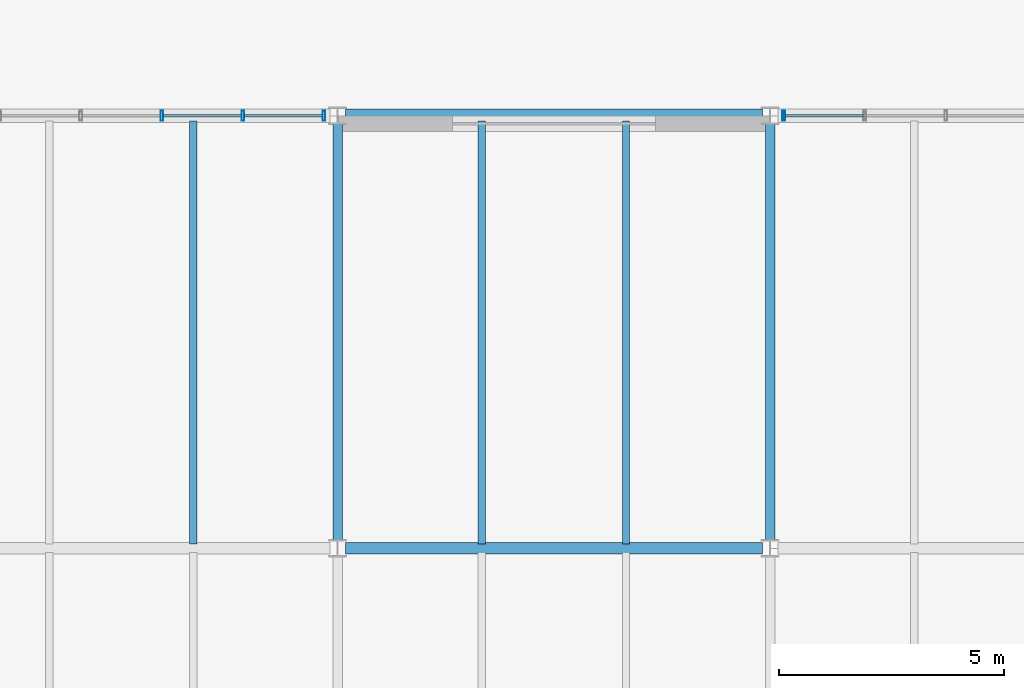
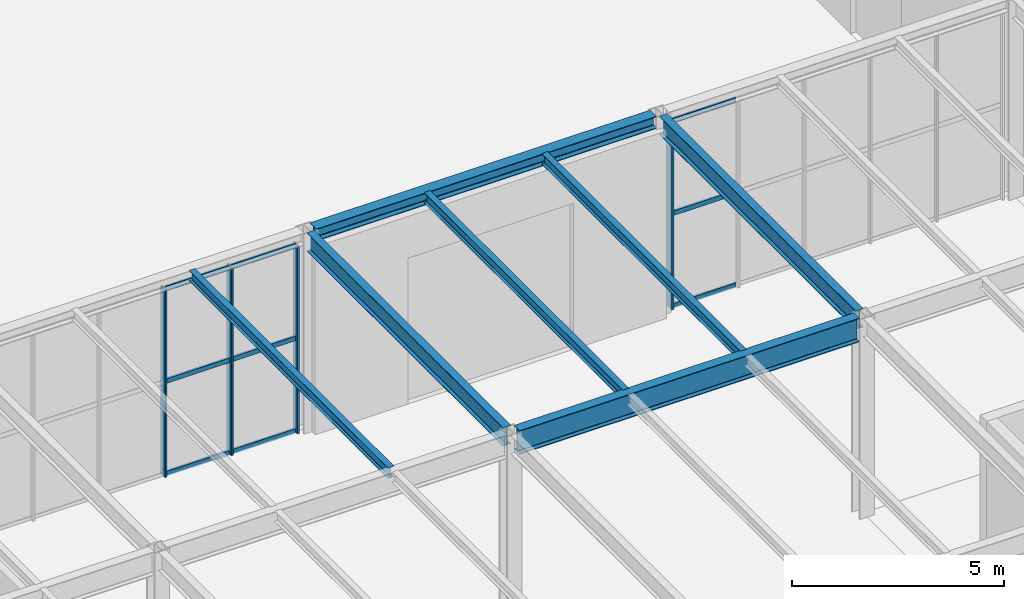
# One storey, part 54 of 142: 13 members, 7 beams, 2 elements without a shape of their own.
"""IFC4 building model written with IfcOpenShell, lengths in metres."""

from ifc_helpers import new_model, si_unit, direction, frame, origin, origin_2d, place, context, subcontext, project, spatial, hollow_rectangle, i_section, extrude, material, material_profile, profile_set, type_object, element, aggregate, save


model = new_model("IFC4")

# Units and contexts
model_context = context("Model", 3, precision=1e-05, world=origin(), true_north=direction((0.0, 1.0)))
body_context = subcontext(model_context, "Body", "Model", "MODEL_VIEW")
ifc_project = project(units=[si_unit("LENGTHUNIT", "METRE"), si_unit("AREAUNIT", "SQUARE_METRE"), si_unit("VOLUMEUNIT", "CUBIC_METRE"), si_unit("PLANEANGLEUNIT", "RADIAN"), si_unit("MASSUNIT", "GRAM", prefix="KILO")], contexts=[model_context])

# Site, building, storey
site_placement = place(None, origin())
site = spatial("IfcSite", under=ifc_project, at=site_placement, CompositionType="ELEMENT")
building_placement = place(site_placement, origin())
building = spatial("IfcBuilding", under=site, at=building_placement, Name="Coralgate Yard Interchange", CompositionType="ELEMENT")
storey_placement = place(building_placement, origin())
storey = spatial("IfcBuildingStorey", under=building, at=storey_placement, Name="L00", CompositionType="ELEMENT", Elevation=0.0)

# Beams
ifc_material_1 = material(Name="Structural steel S355J2", Category="steel")
ifc_material_profile_1 = material_profile(ifc_material_1, i_section(OverallWidth=0.209228515625, OverallDepth=0.533203125, WebThickness=0.010009765625, FlangeThickness=0.015625, FilletRadius=0.0126953125, at=origin_2d()), Name="UB 533x210x92")
ifc_profile_set_1 = profile_set([ifc_material_profile_1], Name="Structural steel S355J2")
beam_type_1 = type_object("IfcBeamType", Name="BM-SB-1", PredefinedType="BEAM", material=ifc_profile_set_1)
for number, where, z_axis, x_axis, name in (
    (1, (19.199951171875, 48.166748046875, 5.4833984375), (0.0, 1.0, 0.0), (-1.0, 0.0, 0.0), "L00 primary grid girder X2 Y5-6"),
    (2, (28.800048828125, 48.166748046875, 5.4833984375), (0.0, 1.0, 0.0), (-1.0, 0.0, 0.0), "L00 primary grid girder X3 Y5-6"),
):
    element("IfcBeam", number, at=place(storey_placement, frame(where, z_axis=z_axis, x_axis=x_axis)), inside=storey, type_object=beam_type_1, Name=name, PredefinedType="BEAM", context=body_context, shape_type="SweptSolid", body=[
        extrude(i_section(OverallWidth=0.209228515625, OverallDepth=0.533203125, WebThickness=0.010009765625, FlangeThickness=0.015625, FilletRadius=0.0126953125, at=origin_2d()), origin(), (0.0, 0.0, 1.0), 9.266357421875),
    ])
ifc_material_profile_2 = material_profile(ifc_material_1, i_section(OverallWidth=0.253662109375, OverallDepth=0.68359375, WebThickness=0.012451171875, FlangeThickness=0.01904296875, FilletRadius=0.01513671875, at=origin_2d()), Name="UB 686x254x140")
ifc_profile_set_2 = profile_set([ifc_material_profile_2], Name="Structural steel S355J2")
beam_type_2 = type_object("IfcBeamType", Name="BM-SG-4", PredefinedType="BEAM", material=ifc_profile_set_2)
beam_1_placement = place(storey_placement, frame((19.369384765625, 48.0, 5.408203125), z_axis=(1.0, 0.0, 0.0), x_axis=(0.0, 1.0, 0.0)))
element("IfcBeam", 3, at=beam_1_placement, inside=storey, type_object=beam_type_2, Name="L00 primary grid beam Y5 X2-3", PredefinedType="BEAM", context=body_context, shape_type="SweptSolid", body=[
    extrude(i_section(OverallWidth=0.253662109375, OverallDepth=0.68359375, WebThickness=0.012451171875, FlangeThickness=0.01904296875, FilletRadius=0.01513671875, at=origin_2d()), origin(), (0.0, 0.0, 1.0), 9.26123046875),
])
ifc_material_profile_3 = material_profile(ifc_material_1, i_section(OverallWidth=0.1650390625, OverallDepth=0.303466796875, WebThickness=0.006103515625, FlangeThickness=0.01025390625, FilletRadius=0.0087890625, at=origin_2d()), Name="UB 305x165x40")
ifc_profile_set_3 = profile_set([ifc_material_profile_3], Name="Structural steel S355J2")
beam_type_3 = type_object("IfcBeamType", Name="BM-SJ-1", PredefinedType="JOIST", material=ifc_profile_set_3)
for number, where, z_axis, x_axis, name in (
    (4, (16.0, 48.096923828125, 5.598388671875), (0.0, 1.0, 0.0), (-1.0, 0.0, 0.0), "L00 composite floor joist 1-5-2"),
    (5, (22.39990234375, 48.096923828125, 5.598388671875), (0.0, 1.0, 0.0), (-1.0, 0.0, 0.0), "L00 composite floor joist 2-5-1"),
    (6, (25.60009765625, 48.096923828125, 5.598388671875), (0.0, 1.0, 0.0), (-1.0, 0.0, 0.0), "L00 composite floor joist 2-5-2"),
):
    element("IfcBeam", number, at=place(storey_placement, frame(where, z_axis=z_axis, x_axis=x_axis)), inside=storey, type_object=beam_type_3, Name=name, PredefinedType="JOIST", context=body_context, shape_type="SweptSolid", body=[
        extrude(i_section(OverallWidth=0.1650390625, OverallDepth=0.303466796875, WebThickness=0.006103515625, FlangeThickness=0.01025390625, FilletRadius=0.0087890625, at=origin_2d()), origin(), (0.0, 0.0, 1.0), 9.383056640625),
    ])
ifc_material_profile_4 = material_profile(ifc_material_1, i_section(OverallWidth=0.300048828125, OverallDepth=0.35009765625, WebThickness=0.010009765625, FlangeThickness=0.017578125, FilletRadius=0.027099609375, at=origin_2d()), Name="HEA 360")
ifc_profile_set_4 = profile_set([ifc_material_profile_4], Name="Structural steel S355J2")
beam_type_4 = type_object("IfcBeamType", Name="BM-SP-1", PredefinedType="SPANDREL", material=ifc_profile_set_4)
beam_2_placement = place(storey_placement, frame((19.369384765625, 57.60009765625, 5.574951171875), z_axis=(1.0, 0.0, 0.0), x_axis=(0.0, 1.0, 0.0)))
element("IfcBeam", 7, at=beam_2_placement, inside=storey, type_object=beam_type_4, Name="L00 primary grid beam Y6 X2-3", PredefinedType="SPANDREL", context=body_context, shape_type="SweptSolid", body=[
    extrude(i_section(OverallWidth=0.300048828125, OverallDepth=0.35009765625, WebThickness=0.010009765625, FlangeThickness=0.017578125, FilletRadius=0.027099609375, at=origin_2d()), origin(), (0.0, 0.0, 1.0), 9.26123046875),
])

# Curtain wall, members
ifc_material_2 = material(Name="Anodised coastal aluminium and solar-control low-E glass", Category="aluminium")
curtain_wall_type = type_object("IfcCurtainWallType", Name="CW-CW-L00-B", PredefinedType="NOTDEFINED", material=ifc_material_2)
curtain_wall_1_placement = place(storey_placement, origin())
curtain_wall_1 = element("IfcCurtainWall", 8, at=curtain_wall_1_placement, inside=storey, type_object=curtain_wall_type, Name="L00 unitised curtain wall CW-L00-N-01-05", PredefinedType="NOTDEFINED")
ifc_material_3 = material(Name="Anodised coastal aluminium 6063-T6", Category="aluminium")
ifc_material_profile_5 = material_profile(ifc_material_3, hollow_rectangle(XDim=0.06005859375, YDim=0.219970703125, WallThickness=0.00390625, InnerFilletRadius=0.00390625, OuterFilletRadius=0.008056640625, at=origin_2d()), Name="ALU 60x220x4")
ifc_profile_set_5 = profile_set([ifc_material_profile_5], Name="Anodised coastal aluminium 6063-T6")
member_type_1 = type_object("IfcMemberType", Name="MB-MUL-220", PredefinedType="MULLION", material=ifc_profile_set_5)
member_1_placement = place(storey_placement, frame((15.300048828125, 57.60009765625, 0.0), z_axis=(0.0, 0.0, 1.0), x_axis=(1.0, 0.0, 0.0)))
member_1 = element("IfcMember", 9, at=member_1_placement, type_object=member_type_1, Name="CW-L00-N-01-05 vertical mullion 4", PredefinedType="MULLION", context=body_context, shape_type="SweptSolid", body=[
    extrude(hollow_rectangle(XDim=0.06005859375, YDim=0.219970703125, WallThickness=0.00390625, InnerFilletRadius=0.00390625, OuterFilletRadius=0.008056640625, at=origin_2d()), origin(), (0.0, 0.0, 1.0), 5.39990234375),
])
member_2_placement = place(storey_placement, frame((17.10009765625, 57.60009765625, 0.0), z_axis=(0.0, 0.0, 1.0), x_axis=(1.0, 0.0, 0.0)))
member_2 = element("IfcMember", 10, at=member_2_placement, type_object=member_type_1, Name="CW-L00-N-01-05 vertical mullion 5", PredefinedType="MULLION", context=body_context, shape_type="SweptSolid", body=[
    extrude(hollow_rectangle(XDim=0.06005859375, YDim=0.219970703125, WallThickness=0.00390625, InnerFilletRadius=0.00390625, OuterFilletRadius=0.008056640625, at=origin_2d()), origin(), (0.0, 0.0, 1.0), 5.39990234375),
])
member_3_placement = place(storey_placement, frame((18.89990234375, 57.60009765625, 0.0), z_axis=(0.0, 0.0, 1.0), x_axis=(1.0, 0.0, 0.0)))
member_3 = element("IfcMember", 11, at=member_3_placement, type_object=member_type_1, Name="CW-L00-N-01-05 vertical mullion 6", PredefinedType="MULLION", context=body_context, shape_type="SweptSolid", body=[
    extrude(hollow_rectangle(XDim=0.06005859375, YDim=0.219970703125, WallThickness=0.00390625, InnerFilletRadius=0.00390625, OuterFilletRadius=0.008056640625, at=origin_2d()), origin(), (0.0, 0.0, 1.0), 5.39990234375),
])

# Curtain wall, member
curtain_wall_2_placement = place(storey_placement, origin())
curtain_wall_2 = element("IfcCurtainWall", 12, at=curtain_wall_2_placement, inside=storey, type_object=curtain_wall_type, Name="L00 unitised curtain wall CW-L00-N-03-05", PredefinedType="NOTDEFINED")
member_4_placement = place(storey_placement, frame((29.10009765625, 57.60009765625, 0.0), z_axis=(0.0, 0.0, 1.0), x_axis=(1.0, 0.0, 0.0)))
member_4 = element("IfcMember", 13, at=member_4_placement, type_object=member_type_1, Name="CW-L00-N-03-05 vertical mullion 1", PredefinedType="MULLION", context=body_context, shape_type="SweptSolid", body=[
    extrude(hollow_rectangle(XDim=0.06005859375, YDim=0.219970703125, WallThickness=0.00390625, InnerFilletRadius=0.00390625, OuterFilletRadius=0.008056640625, at=origin_2d()), origin(), (0.0, 0.0, 1.0), 5.39990234375),
])

# Member
ifc_material_profile_6 = material_profile(ifc_material_3, hollow_rectangle(XDim=0.06005859375, YDim=0.139892578125, WallThickness=0.00341796875, InnerFilletRadius=0.00341796875, OuterFilletRadius=0.007080078125, at=origin_2d()), Name="ALU 60x140x3.5")
ifc_profile_set_6 = profile_set([ifc_material_profile_6], Name="Anodised coastal aluminium 6063-T6")
member_type_2 = type_object("IfcMemberType", Name="MB-TRN-140", PredefinedType="USERDEFINED", material=ifc_profile_set_6)
member_5_placement = place(storey_placement, frame((15.330078125, 57.60009765625, 0.034912109375), z_axis=(1.0, 0.0, 0.0), x_axis=(0.0, 1.0, 0.0)))
member_5 = element("IfcMember", 14, at=member_5_placement, type_object=member_type_2, Name="CW-L00-N-01-05 horizontal transom 4-1", ObjectType="TRANSOM", PredefinedType="USERDEFINED", context=body_context, shape_type="SweptSolid", body=[
    extrude(hollow_rectangle(XDim=0.06005859375, YDim=0.139892578125, WallThickness=0.00341796875, InnerFilletRadius=0.00341796875, OuterFilletRadius=0.007080078125, at=origin_2d()), origin(), (0.0, 0.0, 1.0), 1.739990234375),
])

member_6_placement = place(storey_placement, frame((15.330078125, 57.60009765625, 2.699951171875), z_axis=(1.0, 0.0, 0.0), x_axis=(0.0, 1.0, 0.0)))
member_6 = element("IfcMember", 15, at=member_6_placement, type_object=member_type_2, Name="CW-L00-N-01-05 horizontal transom 4-2", ObjectType="TRANSOM", PredefinedType="USERDEFINED", context=body_context, shape_type="SweptSolid", body=[
    extrude(hollow_rectangle(XDim=0.06005859375, YDim=0.139892578125, WallThickness=0.00341796875, InnerFilletRadius=0.00341796875, OuterFilletRadius=0.007080078125, at=origin_2d()), origin(), (0.0, 0.0, 1.0), 1.739990234375),
])

member_7_placement = place(storey_placement, frame((15.330078125, 57.60009765625, 5.364990234375), z_axis=(1.0, 0.0, 0.0), x_axis=(0.0, 1.0, 0.0)))
member_7 = element("IfcMember", 16, at=member_7_placement, type_object=member_type_2, Name="CW-L00-N-01-05 horizontal transom 4-3", ObjectType="TRANSOM", PredefinedType="USERDEFINED", context=body_context, shape_type="SweptSolid", body=[
    extrude(hollow_rectangle(XDim=0.06005859375, YDim=0.139892578125, WallThickness=0.00341796875, InnerFilletRadius=0.00341796875, OuterFilletRadius=0.007080078125, at=origin_2d()), origin(), (0.0, 0.0, 1.0), 1.739990234375),
])

member_8_placement = place(storey_placement, frame((17.1298828125, 57.60009765625, 0.034912109375), z_axis=(1.0, 0.0, 0.0), x_axis=(0.0, 1.0, 0.0)))
member_8 = element("IfcMember", 17, at=member_8_placement, type_object=member_type_2, Name="CW-L00-N-01-05 horizontal transom 5-1", ObjectType="TRANSOM", PredefinedType="USERDEFINED", context=body_context, shape_type="SweptSolid", body=[
    extrude(hollow_rectangle(XDim=0.06005859375, YDim=0.139892578125, WallThickness=0.00341796875, InnerFilletRadius=0.00341796875, OuterFilletRadius=0.007080078125, at=origin_2d()), origin(), (0.0, 0.0, 1.0), 1.740234375),
])

member_9_placement = place(storey_placement, frame((17.1298828125, 57.60009765625, 2.699951171875), z_axis=(1.0, 0.0, 0.0), x_axis=(0.0, 1.0, 0.0)))
member_9 = element("IfcMember", 18, at=member_9_placement, type_object=member_type_2, Name="CW-L00-N-01-05 horizontal transom 5-2", ObjectType="TRANSOM", PredefinedType="USERDEFINED", context=body_context, shape_type="SweptSolid", body=[
    extrude(hollow_rectangle(XDim=0.06005859375, YDim=0.139892578125, WallThickness=0.00341796875, InnerFilletRadius=0.00341796875, OuterFilletRadius=0.007080078125, at=origin_2d()), origin(), (0.0, 0.0, 1.0), 1.740234375),
])

member_10_placement = place(storey_placement, frame((17.1298828125, 57.60009765625, 5.364990234375), z_axis=(1.0, 0.0, 0.0), x_axis=(0.0, 1.0, 0.0)))
member_10 = element("IfcMember", 19, at=member_10_placement, type_object=member_type_2, Name="CW-L00-N-01-05 horizontal transom 5-3", ObjectType="TRANSOM", PredefinedType="USERDEFINED", context=body_context, shape_type="SweptSolid", body=[
    extrude(hollow_rectangle(XDim=0.06005859375, YDim=0.139892578125, WallThickness=0.00341796875, InnerFilletRadius=0.00341796875, OuterFilletRadius=0.007080078125, at=origin_2d()), origin(), (0.0, 0.0, 1.0), 1.740234375),
])

aggregate(curtain_wall_1, [member_1, member_2, member_3, member_5, member_6, member_7, member_8, member_9, member_10])

member_11_placement = place(storey_placement, frame((29.1298828125, 57.60009765625, 0.034912109375), z_axis=(1.0, 0.0, 0.0), x_axis=(0.0, 1.0, 0.0)))
member_11 = element("IfcMember", 20, at=member_11_placement, type_object=member_type_2, Name="CW-L00-N-03-05 horizontal transom 1-1", ObjectType="TRANSOM", PredefinedType="USERDEFINED", context=body_context, shape_type="SweptSolid", body=[
    extrude(hollow_rectangle(XDim=0.06005859375, YDim=0.139892578125, WallThickness=0.00341796875, InnerFilletRadius=0.00341796875, OuterFilletRadius=0.007080078125, at=origin_2d()), origin(), (0.0, 0.0, 1.0), 1.740234375),
])

member_12_placement = place(storey_placement, frame((29.1298828125, 57.60009765625, 2.699951171875), z_axis=(1.0, 0.0, 0.0), x_axis=(0.0, 1.0, 0.0)))
member_12 = element("IfcMember", 21, at=member_12_placement, type_object=member_type_2, Name="CW-L00-N-03-05 horizontal transom 1-2", ObjectType="TRANSOM", PredefinedType="USERDEFINED", context=body_context, shape_type="SweptSolid", body=[
    extrude(hollow_rectangle(XDim=0.06005859375, YDim=0.139892578125, WallThickness=0.00341796875, InnerFilletRadius=0.00341796875, OuterFilletRadius=0.007080078125, at=origin_2d()), origin(), (0.0, 0.0, 1.0), 1.740234375),
])

member_13_placement = place(storey_placement, frame((29.1298828125, 57.60009765625, 5.364990234375), z_axis=(1.0, 0.0, 0.0), x_axis=(0.0, 1.0, 0.0)))
member_13 = element("IfcMember", 22, at=member_13_placement, type_object=member_type_2, Name="CW-L00-N-03-05 horizontal transom 1-3", ObjectType="TRANSOM", PredefinedType="USERDEFINED", context=body_context, shape_type="SweptSolid", body=[
    extrude(hollow_rectangle(XDim=0.06005859375, YDim=0.139892578125, WallThickness=0.00341796875, InnerFilletRadius=0.00341796875, OuterFilletRadius=0.007080078125, at=origin_2d()), origin(), (0.0, 0.0, 1.0), 1.740234375),
])

aggregate(curtain_wall_2, [member_4, member_11, member_12, member_13])

save(model, "model.ifc")
